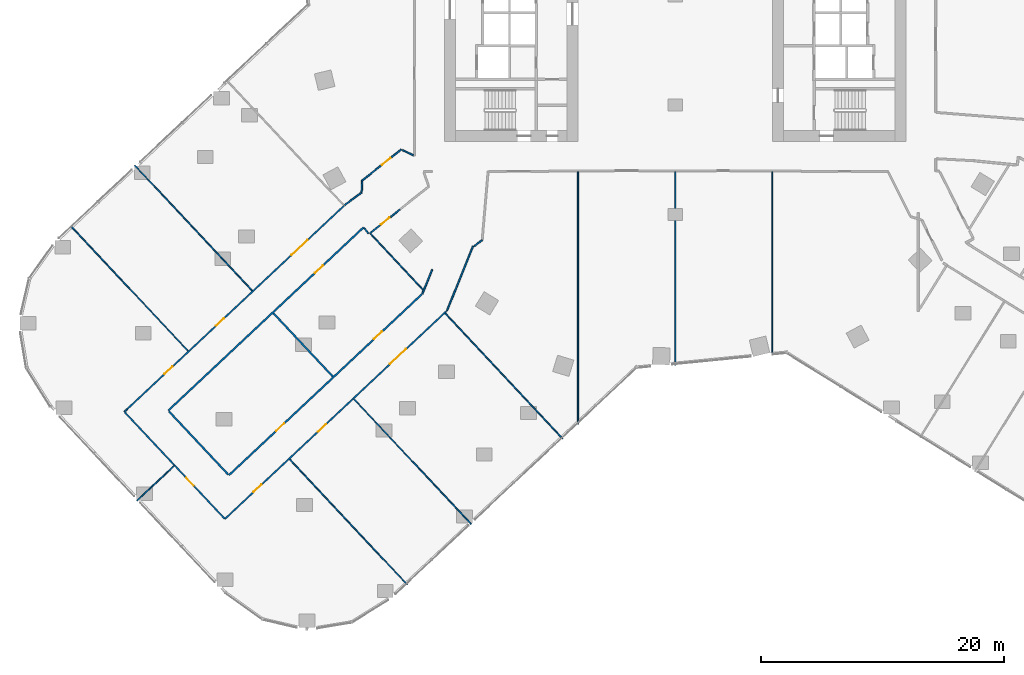
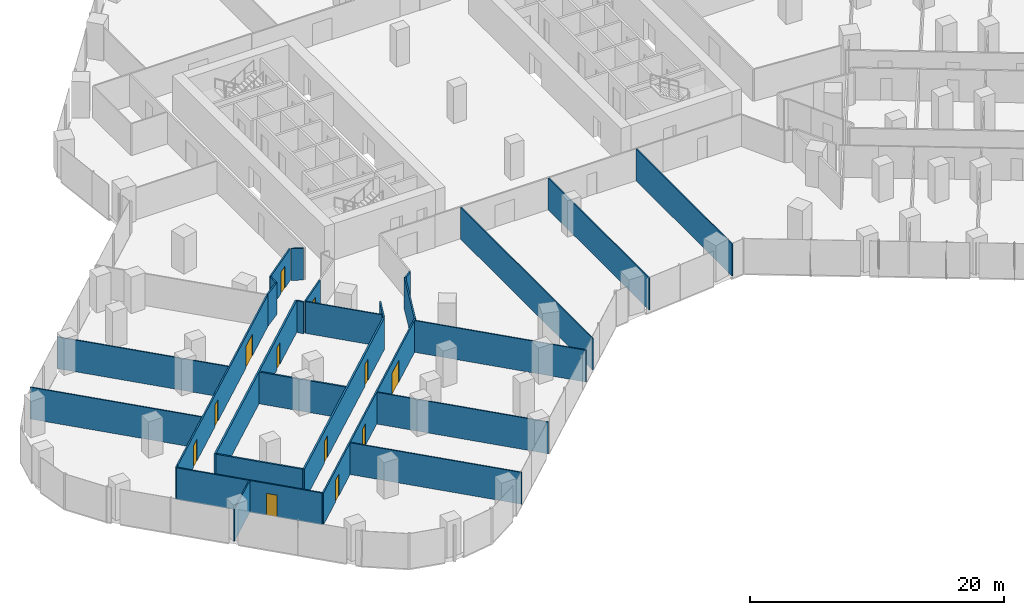
# One storey, part 27 of 34: 27 walls, 12 doors, 12 openings.
"""IFC4 building model written with IfcOpenShell, lengths in metres."""

import ifcopenshell
import ifcopenshell.guid

model = None  # the IFC model being written
_history = None  # IfcOwnerHistory: only IFC2X3 demands one
_inside = {}  # id of a spatial element -> (the spatial element, [elements in it])
_under = {}  # id of a project, library or spatial element -> (it, [spatial elements below it])
_declared = {}  # id of a project -> (the project, [libraries it declares])
_typed = {}  # id of a type object -> (the type object, [elements of that type])
_made_of = {}  # id of a material, layer set ... -> (it, [elements and type objects made of it])


def new_model(schema):
    """Start an empty IFC model of exactly this schema.

    Asked for "IFC4X3", IfcOpenShell would pick the latest addendum, in which some entities
    have other attributes; the version numbers below select the first issue.
    IFC2X3 requires an IfcOwnerHistory on every rooted entity: one is made here for all.
    """
    global model, _history
    if schema == "IFC4X3":
        model = ifcopenshell.file(schema_version=(4, 3, 0, 0))
    else:
        model = ifcopenshell.file(schema=schema)
    _inside.clear()
    _under.clear()
    _declared.clear()
    _typed.clear()
    _made_of.clear()
    _history = None
    if model.schema == "IFC2X3":
        org = make("IfcOrganization", Name="unknown")
        user = make(
            "IfcPersonAndOrganization",
            ThePerson=make("IfcPerson", FamilyName="unknown"),
            TheOrganization=org,
        )
        app = make(
            "IfcApplication",
            ApplicationDeveloper=org,
            Version="unknown",
            ApplicationFullName="unknown",
            ApplicationIdentifier="unknown",
        )
        _history = make(
            "IfcOwnerHistory",
            OwningUser=user,
            OwningApplication=app,
            ChangeAction="ADDED",
            CreationDate=0,
        )
    return model


def make(cls, **values):
    """One entity of the class cls with the attributes given. An attribute that is None is left unset."""
    return model.create_entity(
        cls, **{name: value for name, value in values.items() if value is not None}
    )


def rooted(cls, **values):
    """An entity with a GlobalId (a new one), such as an element, a storey or a relation."""
    return make(cls, GlobalId=ifcopenshell.guid.new(), OwnerHistory=_history, **values)


def si_unit(unit_type, name, prefix=None):
    """IfcSIUnit, for example si_unit("LENGTHUNIT", "METRE", prefix="MILLI")."""
    return make("IfcSIUnit", UnitType=unit_type, Prefix=prefix, Name=name)


def assignment(units):
    """IfcUnitAssignment: the units of a project."""
    return None if units is None else make("IfcUnitAssignment", Units=units)


def point(xyz):
    """IfcCartesianPoint."""
    return None if xyz is None else make("IfcCartesianPoint", Coordinates=xyz)


def direction(xyz):
    """IfcDirection."""
    return None if xyz is None else make("IfcDirection", DirectionRatios=xyz)


def frame(location, z_axis=None, x_axis=None):
    """IfcAxis2Placement3D, a coordinate frame: its origin and axes. An axis left out is left unset."""
    return make(
        "IfcAxis2Placement3D",
        Location=point(location),
        Axis=direction(z_axis),
        RefDirection=direction(x_axis),
    )


def frame_2d(location, x_axis=None):
    """IfcAxis2Placement2D, a coordinate frame in the plane: its origin and x axis."""
    return make(
        "IfcAxis2Placement2D", Location=point(location), RefDirection=direction(x_axis)
    )


def origin():
    """The frame at (0, 0, 0) with its axes left unset."""
    return frame((0.0, 0.0, 0.0))


def place(relative_to, where):
    """IfcLocalPlacement: puts the frame where relative to a parent placement (None: the world)."""
    return make(
        "IfcLocalPlacement", PlacementRelTo=relative_to, RelativePlacement=where
    )


def context(
    kind, dimensions, precision=None, world=None, true_north=None, identifier=None
):
    """IfcGeometricRepresentationContext, for example the 3D "Model" context."""
    return make(
        "IfcGeometricRepresentationContext",
        ContextIdentifier=identifier,
        ContextType=kind,
        CoordinateSpaceDimension=dimensions,
        Precision=precision,
        WorldCoordinateSystem=world,
        TrueNorth=true_north,
    )


def subcontext(parent, identifier, kind, view, scale=None):
    """IfcGeometricRepresentationSubContext, for example "Body" below "Model"."""
    return make(
        "IfcGeometricRepresentationSubContext",
        ContextIdentifier=identifier,
        ContextType=kind,
        ParentContext=parent,
        TargetScale=scale,
        TargetView=view,
    )


def project(units=None, contexts=None):
    """IfcProject with its units and contexts."""
    return rooted(
        "IfcProject",
        Name="project",
        RepresentationContexts=contexts,
        UnitsInContext=assignment(units),
    )


def spatial(cls, under=None, at=None, **own):
    """A site, building, storey or space (cls), placed at a placement, below another one or the project."""
    s = rooted(cls, ObjectPlacement=at, **own)
    if under is not None:
        _under.setdefault(under.id(), (under, []))[1].append(s)
    return s


def profile(cls, at=None, kind="AREA", **sizes):
    """A parametric profile (cls). Its sizes go by their IFC names, for example OverallWidth=200.0."""
    return make(cls, ProfileType=kind, Position=at, **sizes)


def rectangle(**sizes):
    """IfcRectangleProfileDef."""
    return profile("IfcRectangleProfileDef", **sizes)


def extrude(swept, where, along, depth):
    """IfcExtrudedAreaSolid: the profile swept, set in the frame where, extruded along a direction by depth."""
    return make(
        "IfcExtrudedAreaSolid",
        SweptArea=swept,
        Position=where,
        ExtrudedDirection=direction(along),
        Depth=depth,
    )


def shape(context_of_items, identifier, shape_type, items):
    """IfcShapeRepresentation: the items that make up one representation, for example the "Body"."""
    return make(
        "IfcShapeRepresentation",
        ContextOfItems=context_of_items,
        RepresentationIdentifier=identifier,
        RepresentationType=shape_type,
        Items=items,
    )


def material(Name=None, Category=None):
    """IfcMaterial."""
    return make("IfcMaterial", Name=Name, Category=Category)


def layer(
    of_material, thickness, ventilated=None, Name=None, Category=None, Priority=None
):
    """IfcMaterialLayer: one layer of a wall or slab, of a material (None: an air gap)."""
    return make(
        "IfcMaterialLayer",
        Material=of_material,
        LayerThickness=thickness,
        IsVentilated=ventilated,
        Name=Name,
        Category=Category,
        Priority=Priority,
    )


def layer_set(layers, Name=None):
    """IfcMaterialLayerSet."""
    return make("IfcMaterialLayerSet", MaterialLayers=layers, LayerSetName=Name)


def made_of(thing, what):
    """Note that an element or type object is made of a material, layer set ...; save() writes the relation."""
    if what is not None:
        _made_of.setdefault(what.id(), (what, []))[1].append(thing)
    return thing


def type_object(cls, material=None, **own):
    """A type object (cls), such as IfcWallType, which elements share."""
    return made_of(rooted(cls, **own), material)


def element(
    cls,
    number,
    at=None,
    inside=None,
    cuts=None,
    type_object=None,
    material=None,
    context=None,
    identifier="Body",
    shape_type=None,
    held_by="IfcProductDefinitionShape",
    body=None,
    shapes=None,
    **own,
):
    """One element of the class cls, such as IfcWall. Its Tag is "e" and its number.

    at: its placement. inside: the storey or other place that contains it. cuts: it is an
    opening in that element (IfcRelVoidsElement). A single representation is given by context,
    identifier, shape_type and body (its items); several are given by shapes. held_by: the class
    of the entity that holds the representations. save() writes the other relations.
    """
    e = rooted(cls, Tag="e%d" % number, ObjectPlacement=at, **own)
    if body is not None:
        shapes = [shape(context, identifier, shape_type, body)]
    if shapes is not None:
        e.Representation = make(held_by, Representations=shapes)
    if inside is not None:
        _inside.setdefault(inside.id(), (inside, []))[1].append(e)
    if cuts is not None:
        rooted(
            "IfcRelVoidsElement", RelatingBuildingElement=cuts, RelatedOpeningElement=e
        )
    if type_object is not None:
        _typed.setdefault(type_object.id(), (type_object, []))[1].append(e)
    return made_of(e, material)


def fill(opening, filler):
    """IfcRelFillsElement: the door or window that sits in an opening."""
    return rooted(
        "IfcRelFillsElement",
        RelatingOpeningElement=opening,
        RelatedBuildingElement=filler,
    )


def aggregate(whole, parts):
    """IfcRelAggregates: a whole, such as a stair, and the parts it consists of."""
    return rooted("IfcRelAggregates", RelatingObject=whole, RelatedObjects=parts)


def save(model, path):
    """Write the relations noted so far, then the file.

    IfcRelAggregates (storeys below a building ...), IfcRelContainedInSpatialStructure (elements
    in a storey), IfcRelDefinesByType, IfcRelAssociatesMaterial and IfcRelDeclares: one each for
    every whole, place, type object, material and project.
    """
    for whole, parts in _under.values():
        aggregate(whole, parts)
    for where, things in _inside.values():
        rooted(
            "IfcRelContainedInSpatialStructure",
            RelatedElements=things,
            RelatingStructure=where,
        )
    for kind, things in _typed.values():
        rooted("IfcRelDefinesByType", RelatedObjects=things, RelatingType=kind)
    for what, things in _made_of.values():
        rooted("IfcRelAssociatesMaterial", RelatedObjects=things, RelatingMaterial=what)
    for by, libraries in _declared.values():
        rooted("IfcRelDeclares", RelatingContext=by, RelatedDefinitions=libraries)
    model.write(path)


model = new_model("IFC4")

# Units and contexts
model_context = context("Model", 3, precision=1e-05, world=origin(), true_north=direction((0.0, 1.0)))
body_context = subcontext(model_context, "Body", "Model", "MODEL_VIEW")
ifc_project = project(units=[si_unit("LENGTHUNIT", "METRE"), si_unit("AREAUNIT", "SQUARE_METRE"), si_unit("VOLUMEUNIT", "CUBIC_METRE"), si_unit("PLANEANGLEUNIT", "RADIAN"), si_unit("MASSUNIT", "GRAM", prefix="KILO")], contexts=[model_context])

# Site, building, storey
site_placement = place(None, origin())
site = spatial("IfcSite", under=ifc_project, at=site_placement, CompositionType="ELEMENT")
building_placement = place(site_placement, origin())
building = spatial("IfcBuilding", under=site, at=building_placement, Name="Orlundy Tower", CompositionType="ELEMENT")
storey_placement = place(building_placement, frame((0.0, 0.0, 44.300048828125)))
storey = spatial("IfcBuildingStorey", under=building, at=storey_placement, Name="L09", CompositionType="ELEMENT", Elevation=44.300048828125)

# Walls
ifc_material_1 = material(Name="Gypsum board partition")
ifc_layer_1 = layer(ifc_material_1, 0.10009765625)
ifc_layer_set_1 = layer_set([ifc_layer_1], Name="Floor partition 100")
wall_type_1 = type_object("IfcWallType", Name="Floor partition 100", PredefinedType="PARTITIONING", material=ifc_layer_set_1)
for number, where, z_axis, x_axis, name in (
    (1, (-49.77392578125, -18.923095703125, 0.0), (0.0, 0.0, 1.0), (0.684111730838, -0.729377227317, 0.0), "wall-int-L09-011"),
    (2, (-31.739013671875, -38.152099609375, 0.0), (0.0, 0.0, 1.0), (0.684192134114, -0.729301805576, 0.0), "wall-int-L09-012"),
):
    element("IfcWall", number, at=place(storey_placement, frame(where, z_axis=z_axis, x_axis=x_axis)), inside=storey, type_object=wall_type_1, Name=name, PredefinedType="PARTITIONING", context=body_context, shape_type="SweptSolid", body=[
        extrude(rectangle(XDim=14.136474609375, YDim=0.10009765625, at=frame_2d((7.068359375, 0.0))), origin(), (0.0, 0.0, 1.0), 3.06005859375),
    ])
for number, where, z_axis, x_axis, name in (
    (3, (-44.487060546875, -13.962890625, 0.0), (0.0, 0.0, 1.0), (0.684112301014, -0.729376692526, 0.0), "wall-int-L09-013"),
    (4, (-26.450927734375, -33.19189453125, 0.0), (0.0, 0.0, 1.0), (0.684103113435, -0.729385309825, 0.0), "wall-int-L09-015"),
):
    element("IfcWall", number, at=place(storey_placement, frame(where, z_axis=z_axis, x_axis=x_axis)), inside=storey, type_object=wall_type_1, Name=name, PredefinedType="PARTITIONING", context=body_context, shape_type="SweptSolid", body=[
        extrude(rectangle(XDim=14.13671875, YDim=0.10009765625, at=frame_2d((7.068359375, 0.0))), origin(), (0.0, 0.0, 1.0), 3.06005859375),
    ])
wall_1_placement = place(storey_placement, frame((-25.0791015625, -19.589111328125, 0.0), z_axis=(0.0, 0.0, 1.0), x_axis=(0.684071212636, -0.729415228825, 0.0)))
element("IfcWall", 5, at=wall_1_placement, inside=storey, type_object=wall_type_1, Name="wall-int-L09-017", PredefinedType="PARTITIONING", context=body_context, shape_type="SweptSolid", body=[
    extrude(rectangle(XDim=6.304931640625, YDim=0.10009765625, at=frame_2d((3.15234375, 0.0))), origin(), (0.0, 0.0, 1.0), 3.06005859375),
])
wall_2_placement = place(storey_placement, frame((-18.93408203125, -26.14111328125, 0.0), z_axis=(0.0, 0.0, 1.0), x_axis=(0.684157665042, -0.729334141094, 0.0)))
element("IfcWall", 6, at=wall_2_placement, inside=storey, type_object=wall_type_1, Name="wall-int-L09-018", PredefinedType="PARTITIONING", context=body_context, shape_type="SweptSolid", body=[
    extrude(rectangle(XDim=14.13720703125, YDim=0.10009765625, at=frame_2d((7.068603515625, 0.0))), origin(), (0.0, 0.0, 1.0), 3.06005859375),
])
wall_3_placement = place(storey_placement, frame((-44.30908203125, -41.56103515625, 0.0), z_axis=(0.0, 0.0, 1.0), x_axis=(0.729200696285, 0.684299893715, 0.0)))
element("IfcWall", 7, at=wall_3_placement, inside=storey, type_object=wall_type_1, Name="wall-int-L09-053", PredefinedType="PARTITIONING", context=body_context, shape_type="SweptSolid", body=[
    extrude(rectangle(XDim=4.186767578125, YDim=0.10009765625, at=frame_2d((2.09326171875, 0.0))), origin(), (0.0, 0.0, 1.0), 3.06005859375),
])
wall_4_placement = place(storey_placement, frame((8.0, -29.60498046875, 0.0), z_axis=(0.0, 0.0, 1.0), x_axis=(0.0, 1.0, 0.0)))
element("IfcWall", 8, at=wall_4_placement, inside=storey, type_object=wall_type_1, Name="wall-int-L09-078", PredefinedType="PARTITIONING", context=body_context, shape_type="SweptSolid", body=[
    extrude(rectangle(XDim=15.14208984375, YDim=0.10009765625, at=frame_2d((7.571044921875, 0.0))), origin(), (0.0, 0.0, 1.0), 3.06005859375),
])
wall_5_placement = place(storey_placement, frame((0.0, -30.39794921875, 0.0), z_axis=(0.0, 0.0, 1.0), x_axis=(0.0, 1.0, 0.0)))
element("IfcWall", 9, at=wall_5_placement, inside=storey, type_object=wall_type_1, Name="wall-int-L09-080", PredefinedType="PARTITIONING", context=body_context, shape_type="SweptSolid", body=[
    extrude(rectangle(XDim=15.93505859375, YDim=0.10009765625, at=frame_2d((7.967529296875, 0.0))), origin(), (0.0, 0.0, 1.0), 3.06005859375),
])
wall_6_placement = place(storey_placement, frame((-8.0, -35.26806640625, 0.0), z_axis=(0.0, 0.0, 1.0), x_axis=(0.0, 1.0, 0.0)))
element("IfcWall", 10, at=wall_6_placement, inside=storey, type_object=wall_type_1, Name="wall-int-L09-082", PredefinedType="PARTITIONING", context=body_context, shape_type="SweptSolid", body=[
    extrude(rectangle(XDim=20.80517578125, YDim=0.10009765625, at=frame_2d((10.402587890625, 0.0))), origin(), (0.0, 0.0, 1.0), 3.06005859375),
])
ifc_material_2 = material(Name="Gypsum board partition, double layer")
ifc_layer_2 = layer(ifc_material_2, 0.125)
ifc_layer_set_2 = layer_set([ifc_layer_2], Name="Floor partition 125")
wall_type_2 = type_object("IfcWallType", Name="Floor partition 125", PredefinedType="PARTITIONING", material=ifc_layer_set_2)
wall_7_placement = place(storey_placement, frame((-25.60400390625, -19.114013671875, 0.0), z_axis=(0.0, 0.0, 1.0), x_axis=(0.619381829891, -0.785089898548, 0.0)))
element("IfcWall", 11, at=wall_7_placement, inside=storey, type_object=wall_type_2, Name="wall-int-L09-007", PredefinedType="PARTITIONING", context=body_context, shape_type="SweptSolid", body=[
    extrude(rectangle(XDim=0.5732421875, YDim=0.125, at=frame_2d((0.28662109375, 0.0))), origin(), (0.0, 0.0, 1.0), 3.06005859375),
])
wall_8_placement = place(storey_placement, frame((-25.77392578125, -15.281005859375, 0.0), z_axis=(0.0, 0.0, 1.0), x_axis=(-0.038899975067, -0.999243109528, 0.0)))
element("IfcWall", 12, at=wall_8_placement, inside=storey, type_object=wall_type_2, Name="wall-int-L09-008", PredefinedType="PARTITIONING", context=body_context, shape_type="SweptSolid", body=[
    extrude(rectangle(XDim=0.90380859375, YDim=0.125, at=frame_2d((0.451904296875, 0.0))), origin(), (0.0, 0.0, 1.0), 3.06005859375),
])

# Wall, opening, door
wall_9_placement = place(storey_placement, frame((-37.10107421875, -43.031982421875, 0.0), z_axis=(0.0, 0.0, 1.0), x_axis=(-0.684230259848, 0.729266036168, 0.0)))
wall_9 = element("IfcWall", 13, at=wall_9_placement, inside=storey, type_object=wall_type_2, Name="wall-int-L09-009", PredefinedType="PARTITIONING", context=body_context, shape_type="SweptSolid", body=[
    extrude(rectangle(XDim=11.991455078125, YDim=0.125, at=frame_2d((5.99560546875, 0.0))), origin(), (0.0, 0.0, 1.0), 3.06005859375),
])
opening_1_placement = place(wall_9_placement, frame((3.704345703125, 0.0, 0.0)))
opening_1 = element("IfcOpeningElement", 14, at=opening_1_placement, cuts=wall_9, Name="Opening 09117", PredefinedType="OPENING", context=body_context, shape_type="SweptSolid", body=[
    extrude(rectangle(XDim=0.89990234375, YDim=2.10009765625, at=frame_2d((0.449951171875, 1.050048828125))), frame((0.0, 0.072509765625, 0.0), z_axis=(0.0, -1.0, 0.0), x_axis=(1.0, 0.0, 0.0)), (0.0, 0.0, 1.0), 0.14501953125),
])
ifc_material_3 = material(Name="Timber door leaf", Category="wood")
door_type_1 = type_object("IfcDoorType", Name="Floor door single 900 FD30S", OperationType="NOTDEFINED", PredefinedType="DOOR", material=ifc_material_3)
door_1_placement = place(opening_1_placement, origin())
door_1 = element("IfcDoor", 15, at=door_1_placement, inside=storey, type_object=door_type_1, Name="Door 09117", OperationType="SINGLE_SWING_LEFT", OverallHeight=2.10009765625, OverallWidth=0.89990234375, PredefinedType="DOOR", context=body_context, shape_type="SweptSolid", body=[
    extrude(rectangle(XDim=0.89990234375, YDim=2.10009765625, at=frame_2d((0.449951171875, 1.050048828125))), frame((0.0, 0.02490234375, 0.0), z_axis=(0.0, -1.0, 0.0), x_axis=(1.0, 0.0, 0.0)), (0.0, 0.0, 1.0), 0.050048828125),
])
fill(opening_1, door_1)

# Walls
wall_10_placement = place(storey_placement, frame((-22.43896484375, -12.699951171875, 0.0), z_axis=(0.0, 0.0, 1.0), x_axis=(0.900058849061, -0.435768365335, 0.0)))
element("IfcWall", 16, at=wall_10_placement, inside=storey, type_object=wall_type_2, Name="wall-int-L09-028", PredefinedType="PARTITIONING", context=body_context, shape_type="SweptSolid", body=[
    extrude(rectangle(XDim=0.984375, YDim=0.125, at=frame_2d((0.4921875, 0.0))), origin(), (0.0, 0.0, 1.0), 3.06005859375),
])
wall_11_placement = place(storey_placement, frame((-16.552978515625, -20.610107421875, 0.0), z_axis=(0.0, 0.0, 1.0), x_axis=(0.799610497066, 0.600518986362, 0.0)))
element("IfcWall", 17, at=wall_11_placement, inside=storey, type_object=wall_type_2, Name="wall-int-L09-032", PredefinedType="PARTITIONING", context=body_context, shape_type="SweptSolid", body=[
    extrude(rectangle(XDim=0.82763671875, YDim=0.125, at=frame_2d((0.413818359375, 0.0))), origin(), (0.0, 0.0, 1.0), 3.06005859375),
])
wall_12_placement = place(storey_placement, frame((-25.80908203125, -16.18408203125, 0.0), z_axis=(0.0, 0.0, 1.0), x_axis=(-0.801880216927, -0.597484826336, 0.0)))
element("IfcWall", 18, at=wall_12_placement, inside=storey, type_object=wall_type_2, Name="wall-int-L09-046", PredefinedType="PARTITIONING", context=body_context, shape_type="SweptSolid", body=[
    extrude(rectangle(XDim=1.757080078125, YDim=0.125, at=frame_2d((0.87841796875, 0.0))), origin(), (0.0, 0.0, 1.0), 3.06005859375),
])

# Wall, opening, door
wall_13_placement = place(storey_placement, frame((-25.81201171875, -15.23193359375, 0.0), z_axis=(0.0, 0.0, 1.0), x_axis=(0.784897756529, 0.619625299513, 0.0)))
wall_13 = element("IfcWall", 19, at=wall_13_placement, inside=storey, type_object=wall_type_2, Name="wall-int-L09-048", PredefinedType="PARTITIONING", context=body_context, shape_type="SweptSolid", body=[
    extrude(rectangle(XDim=4.168701171875, YDim=0.125, at=frame_2d((2.08447265625, 0.0))), origin(), (0.0, 0.0, 1.0), 3.06005859375),
])
opening_2_placement = place(wall_13_placement, frame((2.123779296875, 0.0, 0.0)))
opening_2 = element("IfcOpeningElement", 20, at=opening_2_placement, cuts=wall_13, Name="Opening 09121", PredefinedType="OPENING", context=body_context, shape_type="SweptSolid", body=[
    extrude(rectangle(XDim=0.89990234375, YDim=2.10009765625, at=frame_2d((0.449951171875, 1.050048828125))), frame((0.0, 0.072509765625, 0.0), z_axis=(0.0, -1.0, 0.0), x_axis=(1.0, 0.0, 0.0)), (0.0, 0.0, 1.0), 0.14501953125),
])
door_2_placement = place(opening_2_placement, origin())
door_2 = element("IfcDoor", 21, at=door_2_placement, inside=storey, type_object=door_type_1, Name="Door 09121", OperationType="SINGLE_SWING_RIGHT", OverallHeight=2.10009765625, OverallWidth=0.89990234375, PredefinedType="DOOR", context=body_context, shape_type="SweptSolid", body=[
    extrude(rectangle(XDim=0.89990234375, YDim=2.10009765625, at=frame_2d((0.449951171875, 1.050048828125))), frame((0.0, 0.02490234375, 0.0), z_axis=(0.0, -1.0, 0.0), x_axis=(1.0, 0.0, 0.0)), (0.0, 0.0, 1.0), 0.050048828125),
])
fill(opening_2, door_2)

wall_14_placement = place(storey_placement, frame((-22.653076171875, -17.5810546875, 0.0), z_axis=(0.0, 0.0, 1.0), x_axis=(-0.782918971935, -0.622123688171, 0.0)))
wall_14 = element("IfcWall", 22, at=wall_14_placement, inside=storey, type_object=wall_type_2, Name="wall-int-L09-049", PredefinedType="PARTITIONING", context=body_context, shape_type="SweptSolid", body=[
    extrude(rectangle(XDim=3.153564453125, YDim=0.125, at=frame_2d((1.57666015625, 0.0))), origin(), (0.0, 0.0, 1.0), 3.06005859375),
])
opening_3_placement = place(wall_14_placement, frame((1.10009765625, 0.0, 0.0)))
opening_3 = element("IfcOpeningElement", 23, at=opening_3_placement, cuts=wall_14, Name="Opening 09123", PredefinedType="OPENING", context=body_context, shape_type="SweptSolid", body=[
    extrude(rectangle(XDim=0.89990234375, YDim=2.10009765625, at=frame_2d((0.449951171875, 1.050048828125))), frame((0.0, 0.072509765625, 0.0), z_axis=(0.0, -1.0, 0.0), x_axis=(1.0, 0.0, 0.0)), (0.0, 0.0, 1.0), 0.14501953125),
])
door_3_placement = place(opening_3_placement, origin())
door_3 = element("IfcDoor", 24, at=door_3_placement, inside=storey, type_object=door_type_1, Name="Door 09123", OperationType="SINGLE_SWING_LEFT", OverallHeight=2.10009765625, OverallWidth=0.89990234375, PredefinedType="DOOR", context=body_context, shape_type="SweptSolid", body=[
    extrude(rectangle(XDim=0.89990234375, YDim=2.10009765625, at=frame_2d((0.449951171875, 1.050048828125))), frame((0.0, 0.02490234375, 0.0), z_axis=(0.0, -1.0, 0.0), x_axis=(1.0, 0.0, 0.0)), (0.0, 0.0, 1.0), 0.050048828125),
])
fill(opening_3, door_3)

# Wall
wall_15_placement = place(storey_placement, frame((-45.34912109375, -34.239990234375, 0.0), z_axis=(0.0, 0.0, 1.0), x_axis=(0.730297588588, 0.683129147455, 0.0)))
element("IfcWall", 25, at=wall_15_placement, inside=storey, type_object=wall_type_2, Name="wall-int-L09-050", PredefinedType="PARTITIONING", context=body_context, shape_type="SweptSolid", body=[
    extrude(rectangle(XDim=0.30029296875, YDim=0.125, at=frame_2d((0.150146484375, 0.0))), origin(), (0.0, 0.0, 1.0), 3.06005859375),
])

# Wall, openings, doors
wall_16_placement = place(storey_placement, frame((-18.8291015625, -25.95703125, 0.0), z_axis=(0.0, 0.0, 1.0), x_axis=(-0.729377966172, -0.684110943096, 0.0)))
wall_16 = element("IfcWall", 26, at=wall_16_placement, inside=storey, type_object=wall_type_2, Name="wall-int-L09-051", PredefinedType="PARTITIONING", context=body_context, shape_type="SweptSolid", body=[
    extrude(rectangle(XDim=25.009033203125, YDim=0.125, at=frame_2d((12.50439453125, 0.0))), origin(), (0.0, 0.0, 1.0), 3.06005859375),
])
opening_4_placement = place(wall_16_placement, frame((4.552490234375, 0.0, 0.0)))
opening_4 = element("IfcOpeningElement", 27, at=opening_4_placement, cuts=wall_16, Name="Opening 09110", PredefinedType="OPENING", context=body_context, shape_type="SweptSolid", body=[
    extrude(rectangle(XDim=1.800048828125, YDim=2.10009765625, at=frame_2d((0.89990234375, 1.050048828125))), frame((0.0, 0.072509765625, 0.0), z_axis=(0.0, -1.0, 0.0), x_axis=(1.0, 0.0, 0.0)), (0.0, 0.0, 1.0), 0.14501953125),
])
opening_5_placement = place(wall_16_placement, frame((13.60888671875, 0.0, 0.0)))
opening_5 = element("IfcOpeningElement", 28, at=opening_5_placement, cuts=wall_16, Name="Opening 09114", PredefinedType="OPENING", context=body_context, shape_type="SweptSolid", body=[
    extrude(rectangle(XDim=0.89990234375, YDim=2.10009765625, at=frame_2d((0.449951171875, 1.050048828125))), frame((0.0, 0.072509765625, 0.0), z_axis=(0.0, -1.0, 0.0), x_axis=(1.0, 0.0, 0.0)), (0.0, 0.0, 1.0), 0.14501953125),
])
opening_6_placement = place(wall_16_placement, frame((20.859130859375, 0.0, 0.0)))
opening_6 = element("IfcOpeningElement", 29, at=opening_6_placement, cuts=wall_16, Name="Opening 09118", PredefinedType="OPENING", context=body_context, shape_type="SweptSolid", body=[
    extrude(rectangle(XDim=0.89990234375, YDim=2.10009765625, at=frame_2d((0.449951171875, 1.050048828125))), frame((0.0, 0.072509765625, 0.0), z_axis=(0.0, -1.0, 0.0), x_axis=(1.0, 0.0, 0.0)), (0.0, 0.0, 1.0), 0.14501953125),
])
ifc_material_4 = material(Name="Timber door leaf", Category="wood")
door_type_2 = type_object("IfcDoorType", Name="Floor door double 1800 FD30S", OperationType="NOTDEFINED", PredefinedType="DOOR", material=ifc_material_4)
door_4_placement = place(opening_4_placement, origin())
door_4 = element("IfcDoor", 30, at=door_4_placement, inside=storey, type_object=door_type_2, Name="Door 09110", OperationType="DOUBLE_DOOR_SINGLE_SWING", OverallHeight=2.10009765625, OverallWidth=1.800048828125, PredefinedType="DOOR", context=body_context, shape_type="SweptSolid", body=[
    extrude(rectangle(XDim=1.800048828125, YDim=2.10009765625, at=frame_2d((0.89990234375, 1.050048828125))), frame((0.0, 0.02490234375, 0.0), z_axis=(0.0, -1.0, 0.0), x_axis=(1.0, 0.0, 0.0)), (0.0, 0.0, 1.0), 0.050048828125),
])
fill(opening_4, door_4)
door_5_placement = place(opening_5_placement, origin())
door_5 = element("IfcDoor", 31, at=door_5_placement, inside=storey, type_object=door_type_1, Name="Door 09114", OperationType="SINGLE_SWING_RIGHT", OverallHeight=2.10009765625, OverallWidth=0.89990234375, PredefinedType="DOOR", context=body_context, shape_type="SweptSolid", body=[
    extrude(rectangle(XDim=0.89990234375, YDim=2.10009765625, at=frame_2d((0.449951171875, 1.050048828125))), frame((0.0, 0.02490234375, 0.0), z_axis=(0.0, -1.0, 0.0), x_axis=(1.0, 0.0, 0.0)), (0.0, 0.0, 1.0), 0.050048828125),
])
fill(opening_5, door_5)
door_6_placement = place(opening_6_placement, origin())
door_6 = element("IfcDoor", 32, at=door_6_placement, inside=storey, type_object=door_type_1, Name="Door 09118", OperationType="SINGLE_SWING_RIGHT", OverallHeight=2.10009765625, OverallWidth=0.89990234375, PredefinedType="DOOR", context=body_context, shape_type="SweptSolid", body=[
    extrude(rectangle(XDim=0.89990234375, YDim=2.10009765625, at=frame_2d((0.449951171875, 1.050048828125))), frame((0.0, 0.02490234375, 0.0), z_axis=(0.0, -1.0, 0.0), x_axis=(1.0, 0.0, 0.0)), (0.0, 0.0, 1.0), 0.050048828125),
])
fill(opening_6, door_6)

wall_17_placement = place(storey_placement, frame((-45.1298828125, -34.034912109375, 0.0), z_axis=(0.0, 0.0, 1.0), x_axis=(0.729450212829, 0.684033907788, 0.0)))
wall_17 = element("IfcWall", 33, at=wall_17_placement, inside=storey, type_object=wall_type_2, Name="wall-int-L09-055", PredefinedType="PARTITIONING", context=body_context, shape_type="SweptSolid", body=[
    extrude(rectangle(XDim=24.50732421875, YDim=0.125, at=frame_2d((12.253662109375, 0.0))), origin(), (0.0, 0.0, 1.0), 3.06005859375),
])
opening_7_placement = place(wall_17_placement, frame((10.05078125, 0.0, 0.0)))
opening_7 = element("IfcOpeningElement", 34, at=opening_7_placement, cuts=wall_17, Name="Opening 09113", PredefinedType="OPENING", context=body_context, shape_type="SweptSolid", body=[
    extrude(rectangle(XDim=0.89990234375, YDim=2.10009765625, at=frame_2d((0.449951171875, 1.050048828125))), frame((0.0, 0.072509765625, 0.0), z_axis=(0.0, -1.0, 0.0), x_axis=(1.0, 0.0, 0.0)), (0.0, 0.0, 1.0), 0.14501953125),
])
opening_8_placement = place(wall_17_placement, frame((4.25048828125, 0.0, 0.0)))
opening_8 = element("IfcOpeningElement", 35, at=opening_8_placement, cuts=wall_17, Name="Opening 09116", PredefinedType="OPENING", context=body_context, shape_type="SweptSolid", body=[
    extrude(rectangle(XDim=0.89990234375, YDim=2.10009765625, at=frame_2d((0.449951171875, 1.050048828125))), frame((0.0, 0.072509765625, 0.0), z_axis=(0.0, -1.0, 0.0), x_axis=(1.0, 0.0, 0.0)), (0.0, 0.0, 1.0), 0.14501953125),
])
opening_9_placement = place(wall_17_placement, frame((18.55029296875, 0.0, 0.0)))
opening_9 = element("IfcOpeningElement", 36, at=opening_9_placement, cuts=wall_17, Name="Opening 09119", PredefinedType="OPENING", context=body_context, shape_type="SweptSolid", body=[
    extrude(rectangle(XDim=1.800048828125, YDim=2.10009765625, at=frame_2d((0.89990234375, 1.050048828125))), frame((0.0, 0.072509765625, 0.0), z_axis=(0.0, -1.0, 0.0), x_axis=(1.0, 0.0, 0.0)), (0.0, 0.0, 1.0), 0.14501953125),
])
door_7_placement = place(opening_9_placement, origin())
door_7 = element("IfcDoor", 37, at=door_7_placement, inside=storey, type_object=door_type_2, Name="Door 09119", OperationType="DOUBLE_DOOR_SINGLE_SWING", OverallHeight=2.10009765625, OverallWidth=1.800048828125, PredefinedType="DOOR", context=body_context, shape_type="SweptSolid", body=[
    extrude(rectangle(XDim=1.800048828125, YDim=2.10009765625, at=frame_2d((0.89990234375, 1.050048828125))), frame((0.0, 0.02490234375, 0.0), z_axis=(0.0, -1.0, 0.0), x_axis=(1.0, 0.0, 0.0)), (0.0, 0.0, 1.0), 0.050048828125),
])
fill(opening_9, door_7)
door_8_placement = place(opening_7_placement, origin())
door_8 = element("IfcDoor", 38, at=door_8_placement, inside=storey, type_object=door_type_1, Name="Door 09113", OperationType="SINGLE_SWING_LEFT", OverallHeight=2.10009765625, OverallWidth=0.89990234375, PredefinedType="DOOR", context=body_context, shape_type="SweptSolid", body=[
    extrude(rectangle(XDim=0.89990234375, YDim=2.10009765625, at=frame_2d((0.449951171875, 1.050048828125))), frame((0.0, 0.02490234375, 0.0), z_axis=(0.0, -1.0, 0.0), x_axis=(1.0, 0.0, 0.0)), (0.0, 0.0, 1.0), 0.050048828125),
])
fill(opening_7, door_8)
door_9_placement = place(opening_8_placement, origin())
door_9 = element("IfcDoor", 39, at=door_9_placement, inside=storey, type_object=door_type_1, Name="Door 09116", OperationType="SINGLE_SWING_LEFT", OverallHeight=2.10009765625, OverallWidth=0.89990234375, PredefinedType="DOOR", context=body_context, shape_type="SweptSolid", body=[
    extrude(rectangle(XDim=0.89990234375, YDim=2.10009765625, at=frame_2d((0.449951171875, 1.050048828125))), frame((0.0, 0.02490234375, 0.0), z_axis=(0.0, -1.0, 0.0), x_axis=(1.0, 0.0, 0.0)), (0.0, 0.0, 1.0), 0.050048828125),
])
fill(opening_8, door_9)

# Walls
wall_18_placement = place(storey_placement, frame((-18.783935546875, -25.9140625, 0.0), z_axis=(0.0, 0.0, 1.0), x_axis=(0.374782940322, 0.927112586283, 0.0)))
element("IfcWall", 40, at=wall_18_placement, inside=storey, type_object=wall_type_2, Name="wall-int-L09-069", PredefinedType="PARTITIONING", context=body_context, shape_type="SweptSolid", body=[
    extrude(rectangle(XDim=5.728515625, YDim=0.125, at=frame_2d((2.8642578125, 0.0))), origin(), (0.0, 0.0, 1.0), 3.06005859375),
])
wall_19_placement = place(storey_placement, frame((-20.0, -22.51611328125, 0.0), z_axis=(0.0, 0.0, 1.0), x_axis=(-0.374768568838, -0.92711839579, 0.0)))
element("IfcWall", 41, at=wall_19_placement, inside=storey, type_object=wall_type_2, Name="wall-int-L09-070", PredefinedType="PARTITIONING", context=body_context, shape_type="SweptSolid", body=[
    extrude(rectangle(XDim=2.166748046875, YDim=0.125, at=frame_2d((1.08349609375, 0.0))), origin(), (0.0, 0.0, 1.0), 3.06005859375),
])
ifc_material_5 = material(Name="Blockwork shaft wall", Category="masonry")
ifc_layer_3 = layer(ifc_material_5, 0.14990234375)
ifc_layer_set_3 = layer_set([ifc_layer_3], Name="Floor shaft wall 150")
wall_type_3 = type_object("IfcWallType", Name="Floor shaft wall 150", PredefinedType="PARTITIONING", material=ifc_layer_set_3)
wall_20_placement = place(storey_placement, frame((-41.68505859375, -34.198974609375, 0.0), z_axis=(0.0, 0.0, 1.0), x_axis=(0.68422395917, -0.729271947697, 0.0)))
element("IfcWall", 42, at=wall_20_placement, inside=storey, type_object=wall_type_3, Name="wall-int-L09-010", PredefinedType="PARTITIONING", context=body_context, shape_type="SweptSolid", body=[
    extrude(rectangle(XDim=7.1484375, YDim=0.14990234375, at=frame_2d((3.57421875, 0.0))), origin(), (0.0, 0.0, 1.0), 3.06005859375),
])
wall_21_placement = place(storey_placement, frame((-33.0791015625, -26.1259765625, 0.0), z_axis=(0.0, 0.0, 1.0), x_axis=(0.684155795313, -0.729335895003, 0.0)))
element("IfcWall", 43, at=wall_21_placement, inside=storey, type_object=wall_type_3, Name="wall-int-L09-014", PredefinedType="PARTITIONING", context=body_context, shape_type="SweptSolid", body=[
    extrude(rectangle(XDim=7.149169921875, YDim=0.14990234375, at=frame_2d((3.57470703125, 0.0))), origin(), (0.0, 0.0, 1.0), 3.06005859375),
])

# Wall, openings, doors
wall_22_placement = place(storey_placement, frame((-36.742919921875, -39.467041015625, 0.0), z_axis=(0.0, 0.0, 1.0), x_axis=(0.729355050799, 0.684135373939, 0.0)))
wall_22 = element("IfcWall", 44, at=wall_22_placement, inside=storey, type_object=wall_type_3, Name="wall-int-L09-052", PredefinedType="PARTITIONING", context=body_context, shape_type="SweptSolid", body=[
    extrude(rectangle(XDim=21.779541015625, YDim=0.14990234375, at=frame_2d((10.8896484375, 0.0))), origin(), (0.0, 0.0, 1.0), 3.06005859375),
])
opening_10_placement = place(wall_22_placement, frame((16.399169921875, 0.0, 0.0)))
opening_10 = element("IfcOpeningElement", 45, at=opening_10_placement, cuts=wall_22, Name="Opening 09112", PredefinedType="OPENING", context=body_context, shape_type="SweptSolid", body=[
    extrude(rectangle(XDim=0.89990234375, YDim=2.10009765625, at=frame_2d((0.449951171875, 1.050048828125))), frame((0.0, 0.0849609375, 0.0), z_axis=(0.0, -1.0, 0.0), x_axis=(1.0, 0.0, 0.0)), (0.0, 0.0, 1.0), 0.169921875),
])
opening_11_placement = place(wall_22_placement, frame((5.35009765625, 0.0, 0.0)))
opening_11 = element("IfcOpeningElement", 46, at=opening_11_placement, cuts=wall_22, Name="Opening 09115", PredefinedType="OPENING", context=body_context, shape_type="SweptSolid", body=[
    extrude(rectangle(XDim=0.89990234375, YDim=2.10009765625, at=frame_2d((0.449951171875, 1.050048828125))), frame((0.0, 0.0849609375, 0.0), z_axis=(0.0, -1.0, 0.0), x_axis=(1.0, 0.0, 0.0)), (0.0, 0.0, 1.0), 0.169921875),
])
ifc_material_6 = material(Name="Timber door leaf", Category="wood")
door_type_3 = type_object("IfcDoorType", Name="Floor door single 900 FD60", OperationType="NOTDEFINED", PredefinedType="DOOR", material=ifc_material_6)
door_10_placement = place(opening_10_placement, origin())
door_10 = element("IfcDoor", 47, at=door_10_placement, inside=storey, type_object=door_type_3, Name="Door 09112", OperationType="SINGLE_SWING_RIGHT", OverallHeight=2.10009765625, OverallWidth=0.89990234375, PredefinedType="DOOR", context=body_context, shape_type="SweptSolid", body=[
    extrude(rectangle(XDim=0.89990234375, YDim=2.10009765625, at=frame_2d((0.449951171875, 1.050048828125))), frame((0.0, 0.02490234375, 0.0), z_axis=(0.0, -1.0, 0.0), x_axis=(1.0, 0.0, 0.0)), (0.0, 0.0, 1.0), 0.050048828125),
])
fill(opening_10, door_10)
door_11_placement = place(opening_11_placement, origin())
door_11 = element("IfcDoor", 48, at=door_11_placement, inside=storey, type_object=door_type_3, Name="Door 09115", OperationType="SINGLE_SWING_LEFT", OverallHeight=2.10009765625, OverallWidth=0.89990234375, PredefinedType="DOOR", context=body_context, shape_type="SweptSolid", body=[
    extrude(rectangle(XDim=0.89990234375, YDim=2.10009765625, at=frame_2d((0.449951171875, 1.050048828125))), frame((0.0, 0.02490234375, 0.0), z_axis=(0.0, -1.0, 0.0), x_axis=(1.0, 0.0, 0.0)), (0.0, 0.0, 1.0), 0.050048828125),
])
fill(opening_11, door_11)

# Wall, opening, door
wall_23_placement = place(storey_placement, frame((-25.65087890625, -19.054931640625, 0.0), z_axis=(0.0, 0.0, 1.0), x_axis=(-0.729328318393, -0.684163872175, 0.0)))
wall_23 = element("IfcWall", 49, at=wall_23_placement, inside=storey, type_object=wall_type_3, Name="wall-int-L09-054", PredefinedType="PARTITIONING", context=body_context, shape_type="SweptSolid", body=[
    extrude(rectangle(XDim=22.054931640625, YDim=0.14990234375, at=frame_2d((11.02734375, 0.0))), origin(), (0.0, 0.0, 1.0), 3.06005859375),
])
opening_12_placement = place(wall_23_placement, frame((4.599853515625, 0.0, 0.0)))
opening_12 = element("IfcOpeningElement", 50, at=opening_12_placement, cuts=wall_23, Name="Opening 09111", PredefinedType="OPENING", context=body_context, shape_type="SweptSolid", body=[
    extrude(rectangle(XDim=0.89990234375, YDim=2.10009765625, at=frame_2d((0.449951171875, 1.050048828125))), frame((0.0, 0.0849609375, 0.0), z_axis=(0.0, -1.0, 0.0), x_axis=(1.0, 0.0, 0.0)), (0.0, 0.0, 1.0), 0.169921875),
])
door_12_placement = place(opening_12_placement, origin())
door_12 = element("IfcDoor", 51, at=door_12_placement, inside=storey, type_object=door_type_3, Name="Door 09111", OperationType="SINGLE_SWING_LEFT", OverallHeight=2.10009765625, OverallWidth=0.89990234375, PredefinedType="DOOR", context=body_context, shape_type="SweptSolid", body=[
    extrude(rectangle(XDim=0.89990234375, YDim=2.10009765625, at=frame_2d((0.449951171875, 1.050048828125))), frame((0.0, 0.02490234375, 0.0), z_axis=(0.0, -1.0, 0.0), x_axis=(1.0, 0.0, 0.0)), (0.0, 0.0, 1.0), 0.050048828125),
])
fill(opening_12, door_12)

save(model, "model.ifc")
